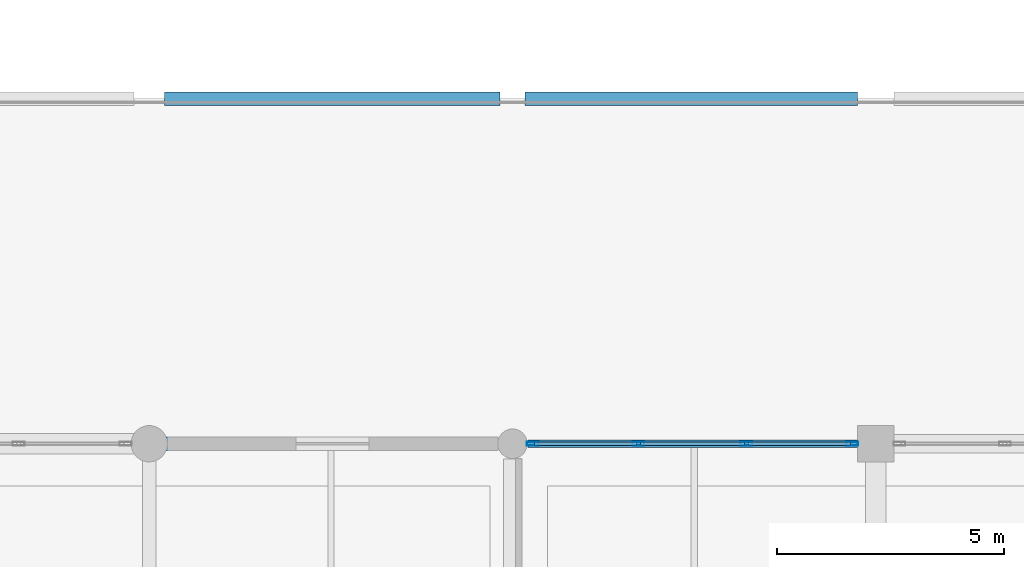
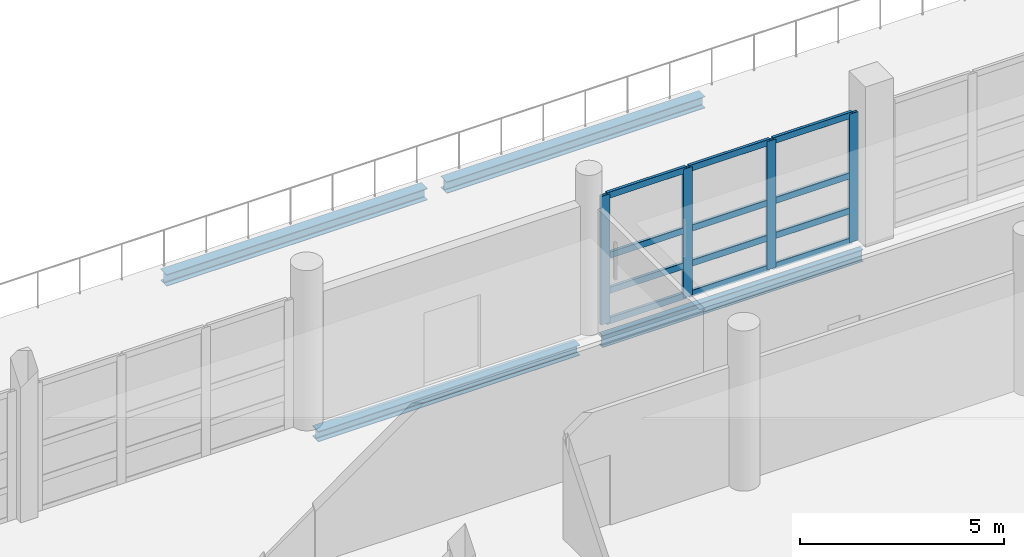
# One storey, part 28 of 147: 16 members, 4 beams, 1 element without a shape of its own.
"""IFC4 building model written with IfcOpenShell, lengths in metres."""

from ifc_helpers import new_model, si_unit, direction, frame, origin, origin_2d, place, context, subcontext, project, spatial, hollow_rectangle, i_section, extrude, material, material_profile, profile_set, type_object, element, aggregate, save


model = new_model("IFC4")

# Units and contexts
model_context = context("Model", 3, precision=1e-05, world=origin(), true_north=direction((0.0, 1.0)))
body_context = subcontext(model_context, "Body", "Model", "MODEL_VIEW")
ifc_project = project(units=[si_unit("LENGTHUNIT", "METRE"), si_unit("AREAUNIT", "SQUARE_METRE"), si_unit("VOLUMEUNIT", "CUBIC_METRE"), si_unit("PLANEANGLEUNIT", "RADIAN"), si_unit("MASSUNIT", "GRAM", prefix="KILO")], contexts=[model_context])

# Site, building, storey
site_placement = place(None, origin())
site = spatial("IfcSite", under=ifc_project, at=site_placement, CompositionType="ELEMENT")
building_placement = place(site_placement, origin())
building = spatial("IfcBuilding", under=site, at=building_placement, Name="Khelvaren Railside Concert Hall", CompositionType="ELEMENT")
storey_placement = place(building_placement, frame((0.0, 0.0, 5.39990234375)))
storey = spatial("IfcBuildingStorey", under=building, at=storey_placement, Name="L01", CompositionType="ELEMENT", Elevation=5.39990234375)

# Curtain wall, members
ifc_material_1 = material(Name="Acoustic laminated crystal facade glass", Category="glass")
curtain_wall_type = type_object("IfcCurtainWallType", Name="CW66", PredefinedType="USERDEFINED", material=ifc_material_1)
curtain_wall_placement = place(storey_placement, origin())
curtain_wall = element("IfcCurtainWall", 1, at=curtain_wall_placement, inside=storey, type_object=curtain_wall_type, Name="Unitised Curtain Wall CW-V3-L01-N-88", ObjectType="UNITISED CURTAIN WALL", PredefinedType="USERDEFINED")
ifc_material_2 = material(Name="Anodised architectural aluminium 6063-T6", Category="aluminium")
ifc_material_profile_1 = material_profile(ifc_material_2, hollow_rectangle(XDim=0.0849609375, YDim=0.260009765625, WallThickness=0.0048828125, InnerFilletRadius=0.0029296875, OuterFilletRadius=0.0048828125, at=origin_2d()), Name="CWM 85x260x5")
ifc_profile_set_1 = profile_set([ifc_material_profile_1], Name="Anodised architectural aluminium 6063-T6")
member_type_1 = type_object("IfcMemberType", Name="CWM40", PredefinedType="MULLION", material=ifc_profile_set_1)
member_1_placement = place(storey_placement, frame((88.445068359375, 15.199951171875, 0.0), z_axis=(0.0, 0.0, 1.0), x_axis=(0.0, 1.0, 0.0)))
member_1 = element("IfcMember", 2, at=member_1_placement, type_object=member_type_1, Name="CW66 mullion 1", PredefinedType="MULLION", context=body_context, shape_type="SweptSolid", body=[
    extrude(hollow_rectangle(XDim=0.0849609375, YDim=0.260009765625, WallThickness=0.0048828125, InnerFilletRadius=0.0029296875, OuterFilletRadius=0.0048828125, at=origin_2d()), origin(), (0.0, 0.0, 1.0), 3.85009765625),
])
member_2_placement = place(storey_placement, frame((90.77587890625, 15.199951171875, 0.0), z_axis=(0.0, 0.0, 1.0), x_axis=(0.0, 1.0, 0.0)))
member_2 = element("IfcMember", 3, at=member_2_placement, type_object=member_type_1, Name="CW66 mullion 2", PredefinedType="MULLION", context=body_context, shape_type="SweptSolid", body=[
    extrude(hollow_rectangle(XDim=0.0849609375, YDim=0.260009765625, WallThickness=0.0048828125, InnerFilletRadius=0.0029296875, OuterFilletRadius=0.0048828125, at=origin_2d()), origin(), (0.0, 0.0, 1.0), 3.85009765625),
])
member_3_placement = place(storey_placement, frame((93.149169921875, 15.199951171875, 0.0), z_axis=(0.0, 0.0, 1.0), x_axis=(0.0, 1.0, 0.0)))
member_3 = element("IfcMember", 4, at=member_3_placement, type_object=member_type_1, Name="CW66 mullion 3", PredefinedType="MULLION", context=body_context, shape_type="SweptSolid", body=[
    extrude(hollow_rectangle(XDim=0.0849609375, YDim=0.260009765625, WallThickness=0.0048828125, InnerFilletRadius=0.0029296875, OuterFilletRadius=0.0048828125, at=origin_2d()), origin(), (0.0, 0.0, 1.0), 3.85009765625),
])
member_4_placement = place(storey_placement, frame((95.47998046875, 15.199951171875, 0.0), z_axis=(0.0, 0.0, 1.0), x_axis=(0.0, 1.0, 0.0)))
member_4 = element("IfcMember", 5, at=member_4_placement, type_object=member_type_1, Name="CW66 mullion 4", PredefinedType="MULLION", context=body_context, shape_type="SweptSolid", body=[
    extrude(hollow_rectangle(XDim=0.0849609375, YDim=0.260009765625, WallThickness=0.0048828125, InnerFilletRadius=0.0029296875, OuterFilletRadius=0.0048828125, at=origin_2d()), origin(), (0.0, 0.0, 1.0), 3.85009765625),
])
ifc_material_profile_2 = material_profile(ifc_material_2, hollow_rectangle(XDim=0.0849609375, YDim=0.18994140625, WallThickness=0.0048828125, InnerFilletRadius=0.0029296875, OuterFilletRadius=0.0048828125, at=origin_2d()), Name="CWT 85x190x5")
ifc_profile_set_2 = profile_set([ifc_material_profile_2], Name="Anodised architectural aluminium 6063-T6")
member_type_2 = type_object("IfcMemberType", Name="CWT31", PredefinedType="USERDEFINED", material=ifc_profile_set_2)
member_5_placement = place(storey_placement, frame((88.487548828125, 15.199951171875, 0.04248046875), z_axis=(1.0, 0.0, 0.0), x_axis=(0.0, 1.0, 0.0)))
member_5 = element("IfcMember", 6, at=member_5_placement, type_object=member_type_2, Name="CW66 transom 1.1", ObjectType="TRANSOM", PredefinedType="USERDEFINED", context=body_context, shape_type="SweptSolid", body=[
    extrude(hollow_rectangle(XDim=0.0849609375, YDim=0.18994140625, WallThickness=0.0048828125, InnerFilletRadius=0.0029296875, OuterFilletRadius=0.0048828125, at=origin_2d()), origin(), (0.0, 0.0, 1.0), 2.245849609375),
])
member_6_placement = place(storey_placement, frame((88.487548828125, 15.199951171875, 0.9501953125), z_axis=(1.0, 0.0, 0.0), x_axis=(0.0, 1.0, 0.0)))
member_6 = element("IfcMember", 7, at=member_6_placement, type_object=member_type_2, Name="CW66 transom 1.2", ObjectType="TRANSOM", PredefinedType="USERDEFINED", context=body_context, shape_type="SweptSolid", body=[
    extrude(hollow_rectangle(XDim=0.0849609375, YDim=0.18994140625, WallThickness=0.0048828125, InnerFilletRadius=0.0029296875, OuterFilletRadius=0.0048828125, at=origin_2d()), origin(), (0.0, 0.0, 1.0), 2.245849609375),
])
member_7_placement = place(storey_placement, frame((88.487548828125, 15.199951171875, 2.002197265625), z_axis=(1.0, 0.0, 0.0), x_axis=(0.0, 1.0, 0.0)))
member_7 = element("IfcMember", 8, at=member_7_placement, type_object=member_type_2, Name="CW66 transom 1.3", ObjectType="TRANSOM", PredefinedType="USERDEFINED", context=body_context, shape_type="SweptSolid", body=[
    extrude(hollow_rectangle(XDim=0.0849609375, YDim=0.18994140625, WallThickness=0.0048828125, InnerFilletRadius=0.0029296875, OuterFilletRadius=0.0048828125, at=origin_2d()), origin(), (0.0, 0.0, 1.0), 2.245849609375),
])
member_8_placement = place(storey_placement, frame((88.487548828125, 15.199951171875, 3.8076171875), z_axis=(1.0, 0.0, 0.0), x_axis=(0.0, 1.0, 0.0)))
member_8 = element("IfcMember", 9, at=member_8_placement, type_object=member_type_2, Name="CW66 transom 1.4", ObjectType="TRANSOM", PredefinedType="USERDEFINED", context=body_context, shape_type="SweptSolid", body=[
    extrude(hollow_rectangle(XDim=0.0849609375, YDim=0.18994140625, WallThickness=0.0048828125, InnerFilletRadius=0.0029296875, OuterFilletRadius=0.0048828125, at=origin_2d()), origin(), (0.0, 0.0, 1.0), 2.245849609375),
])
member_9_placement = place(storey_placement, frame((90.818359375, 15.199951171875, 0.04248046875), z_axis=(1.0, 0.0, 0.0), x_axis=(0.0, 1.0, 0.0)))
member_9 = element("IfcMember", 10, at=member_9_placement, type_object=member_type_2, Name="CW66 transom 2.1", ObjectType="TRANSOM", PredefinedType="USERDEFINED", context=body_context, shape_type="SweptSolid", body=[
    extrude(hollow_rectangle(XDim=0.0849609375, YDim=0.18994140625, WallThickness=0.0048828125, InnerFilletRadius=0.0029296875, OuterFilletRadius=0.0048828125, at=origin_2d()), origin(), (0.0, 0.0, 1.0), 2.288330078125),
])
member_10_placement = place(storey_placement, frame((90.818359375, 15.199951171875, 0.9501953125), z_axis=(1.0, 0.0, 0.0), x_axis=(0.0, 1.0, 0.0)))
member_10 = element("IfcMember", 11, at=member_10_placement, type_object=member_type_2, Name="CW66 transom 2.2", ObjectType="TRANSOM", PredefinedType="USERDEFINED", context=body_context, shape_type="SweptSolid", body=[
    extrude(hollow_rectangle(XDim=0.0849609375, YDim=0.18994140625, WallThickness=0.0048828125, InnerFilletRadius=0.0029296875, OuterFilletRadius=0.0048828125, at=origin_2d()), origin(), (0.0, 0.0, 1.0), 2.288330078125),
])
member_11_placement = place(storey_placement, frame((90.818359375, 15.199951171875, 2.002197265625), z_axis=(1.0, 0.0, 0.0), x_axis=(0.0, 1.0, 0.0)))
member_11 = element("IfcMember", 12, at=member_11_placement, type_object=member_type_2, Name="CW66 transom 2.3", ObjectType="TRANSOM", PredefinedType="USERDEFINED", context=body_context, shape_type="SweptSolid", body=[
    extrude(hollow_rectangle(XDim=0.0849609375, YDim=0.18994140625, WallThickness=0.0048828125, InnerFilletRadius=0.0029296875, OuterFilletRadius=0.0048828125, at=origin_2d()), origin(), (0.0, 0.0, 1.0), 2.288330078125),
])
member_12_placement = place(storey_placement, frame((90.818359375, 15.199951171875, 3.8076171875), z_axis=(1.0, 0.0, 0.0), x_axis=(0.0, 1.0, 0.0)))
member_12 = element("IfcMember", 13, at=member_12_placement, type_object=member_type_2, Name="CW66 transom 2.4", ObjectType="TRANSOM", PredefinedType="USERDEFINED", context=body_context, shape_type="SweptSolid", body=[
    extrude(hollow_rectangle(XDim=0.0849609375, YDim=0.18994140625, WallThickness=0.0048828125, InnerFilletRadius=0.0029296875, OuterFilletRadius=0.0048828125, at=origin_2d()), origin(), (0.0, 0.0, 1.0), 2.288330078125),
])
member_13_placement = place(storey_placement, frame((93.191650390625, 15.199951171875, 0.04248046875), z_axis=(1.0, 0.0, 0.0), x_axis=(0.0, 1.0, 0.0)))
member_13 = element("IfcMember", 14, at=member_13_placement, type_object=member_type_2, Name="CW66 transom 3.1", ObjectType="TRANSOM", PredefinedType="USERDEFINED", context=body_context, shape_type="SweptSolid", body=[
    extrude(hollow_rectangle(XDim=0.0849609375, YDim=0.18994140625, WallThickness=0.0048828125, InnerFilletRadius=0.0029296875, OuterFilletRadius=0.0048828125, at=origin_2d()), origin(), (0.0, 0.0, 1.0), 2.245849609375),
])
member_14_placement = place(storey_placement, frame((93.191650390625, 15.199951171875, 0.9501953125), z_axis=(1.0, 0.0, 0.0), x_axis=(0.0, 1.0, 0.0)))
member_14 = element("IfcMember", 15, at=member_14_placement, type_object=member_type_2, Name="CW66 transom 3.2", ObjectType="TRANSOM", PredefinedType="USERDEFINED", context=body_context, shape_type="SweptSolid", body=[
    extrude(hollow_rectangle(XDim=0.0849609375, YDim=0.18994140625, WallThickness=0.0048828125, InnerFilletRadius=0.0029296875, OuterFilletRadius=0.0048828125, at=origin_2d()), origin(), (0.0, 0.0, 1.0), 2.245849609375),
])
member_15_placement = place(storey_placement, frame((93.191650390625, 15.199951171875, 2.002197265625), z_axis=(1.0, 0.0, 0.0), x_axis=(0.0, 1.0, 0.0)))
member_15 = element("IfcMember", 16, at=member_15_placement, type_object=member_type_2, Name="CW66 transom 3.3", ObjectType="TRANSOM", PredefinedType="USERDEFINED", context=body_context, shape_type="SweptSolid", body=[
    extrude(hollow_rectangle(XDim=0.0849609375, YDim=0.18994140625, WallThickness=0.0048828125, InnerFilletRadius=0.0029296875, OuterFilletRadius=0.0048828125, at=origin_2d()), origin(), (0.0, 0.0, 1.0), 2.245849609375),
])
member_16_placement = place(storey_placement, frame((93.191650390625, 15.199951171875, 3.8076171875), z_axis=(1.0, 0.0, 0.0), x_axis=(0.0, 1.0, 0.0)))
member_16 = element("IfcMember", 17, at=member_16_placement, type_object=member_type_2, Name="CW66 transom 3.4", ObjectType="TRANSOM", PredefinedType="USERDEFINED", context=body_context, shape_type="SweptSolid", body=[
    extrude(hollow_rectangle(XDim=0.0849609375, YDim=0.18994140625, WallThickness=0.0048828125, InnerFilletRadius=0.0029296875, OuterFilletRadius=0.0048828125, at=origin_2d()), origin(), (0.0, 0.0, 1.0), 2.245849609375),
])
aggregate(curtain_wall, [member_1, member_2, member_3, member_4, member_5, member_6, member_7, member_8, member_9, member_10, member_11, member_12, member_13, member_14, member_15, member_16])

# Beams
ifc_material_3 = material(Name="Steel S355", Category="steel")
ifc_material_profile_3 = material_profile(ifc_material_3, i_section(OverallWidth=0.300048828125, OverallDepth=0.35009765625, WebThickness=0.010009765625, FlangeThickness=0.017578125, FilletRadius=0.027099609375, at=origin_2d()), Name="HEA 360")
ifc_profile_set_3 = profile_set([ifc_material_profile_3], Name="Steel S355")
beam_type_1 = type_object("IfcBeamType", Name="SP38", PredefinedType="SPANDREL", material=ifc_profile_set_3)
beam_1_placement = place(storey_placement, frame((80.3359375, 22.800048828125, -0.414794921875), z_axis=(1.0, 0.0, 0.0), x_axis=(0.0, 1.0, 0.0)))
element("IfcBeam", 18, at=beam_1_placement, inside=storey, type_object=beam_type_1, Name="V3 L01 Terrace Edge Spandrel 3", PredefinedType="SPANDREL", context=body_context, shape_type="SweptSolid", body=[
    extrude(i_section(OverallWidth=0.300048828125, OverallDepth=0.35009765625, WebThickness=0.010009765625, FlangeThickness=0.017578125, FilletRadius=0.027099609375, at=origin_2d()), origin(), (0.0, 0.0, 1.0), 7.39111328125),
])
beam_2_placement = place(storey_placement, frame((88.27294921875, 22.800048828125, -0.414794921875), z_axis=(1.0, 0.0, 0.0), x_axis=(0.0, 1.0, 0.0)))
element("IfcBeam", 19, at=beam_2_placement, inside=storey, type_object=beam_type_1, Name="V3 L01 Terrace Edge Spandrel 4", PredefinedType="SPANDREL", context=body_context, shape_type="SweptSolid", body=[
    extrude(i_section(OverallWidth=0.300048828125, OverallDepth=0.35009765625, WebThickness=0.010009765625, FlangeThickness=0.017578125, FilletRadius=0.027099609375, at=origin_2d()), origin(), (0.0, 0.0, 1.0), 7.3271484375),
])
ifc_material_profile_4 = material_profile(ifc_material_3, i_section(OverallWidth=0.300048828125, OverallDepth=0.31005859375, WebThickness=0.009033203125, FlangeThickness=0.015380859375, FilletRadius=0.027099609375, at=origin_2d()), Name="HEA 320")
ifc_profile_set_4 = profile_set([ifc_material_profile_4], Name="Steel S355")
beam_type_2 = type_object("IfcBeamType", Name="SP66", PredefinedType="SPANDREL", material=ifc_profile_set_4)
beam_3_placement = place(storey_placement, frame((80.25, 15.199951171875, -0.454833984375), z_axis=(1.0, 0.0, 0.0), x_axis=(0.0, 1.0, 0.0)))
element("IfcBeam", 20, at=beam_3_placement, inside=storey, type_object=beam_type_2, Name="V3 L01 Spandrel X3.3", PredefinedType="SPANDREL", context=body_context, shape_type="SweptSolid", body=[
    extrude(i_section(OverallWidth=0.300048828125, OverallDepth=0.31005859375, WebThickness=0.009033203125, FlangeThickness=0.015380859375, FilletRadius=0.027099609375, at=origin_2d()), origin(), (0.0, 0.0, 1.0), 7.4140625),
])
ifc_material_profile_5 = material_profile(ifc_material_3, i_section(OverallWidth=0.169921875, OverallDepth=0.360107421875, WebThickness=0.008056640625, FlangeThickness=0.0126953125, FilletRadius=0.01806640625, at=origin_2d()), Name="IPE 360")
ifc_profile_set_5 = profile_set([ifc_material_profile_5], Name="Steel S355")
beam_type_3 = type_object("IfcBeamType", Name="SP74", PredefinedType="SPANDREL", material=ifc_profile_set_5)
beam_4_placement = place(storey_placement, frame((88.3359375, 15.199951171875, -0.47998046875), z_axis=(1.0, 0.0, 0.0), x_axis=(0.0, 1.0, 0.0)))
element("IfcBeam", 21, at=beam_4_placement, inside=storey, type_object=beam_type_3, Name="V3 L01 Spandrel X3.4", PredefinedType="SPANDREL", context=body_context, shape_type="SweptSolid", body=[
    extrude(i_section(OverallWidth=0.169921875, OverallDepth=0.360107421875, WebThickness=0.008056640625, FlangeThickness=0.0126953125, FilletRadius=0.01806640625, at=origin_2d()), origin(), (0.0, 0.0, 1.0), 7.39111328125),
])

save(model, "model.ifc")
